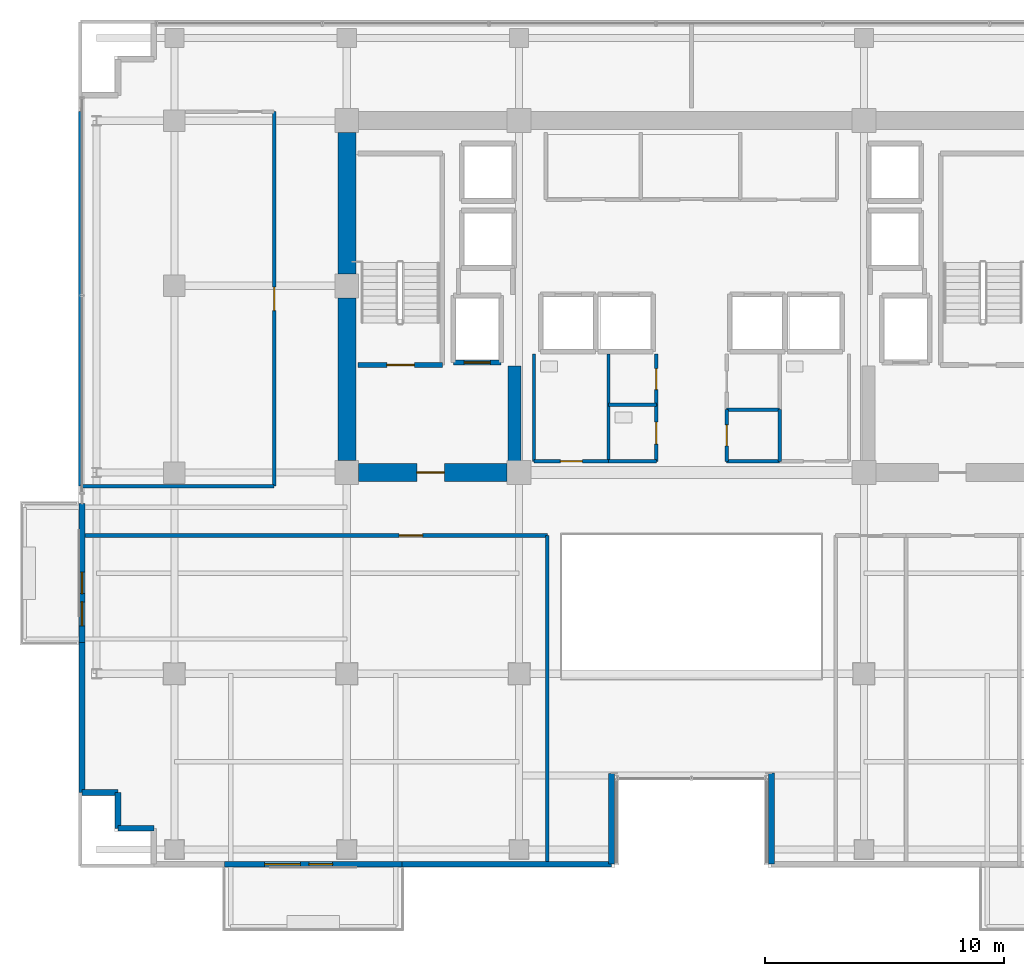
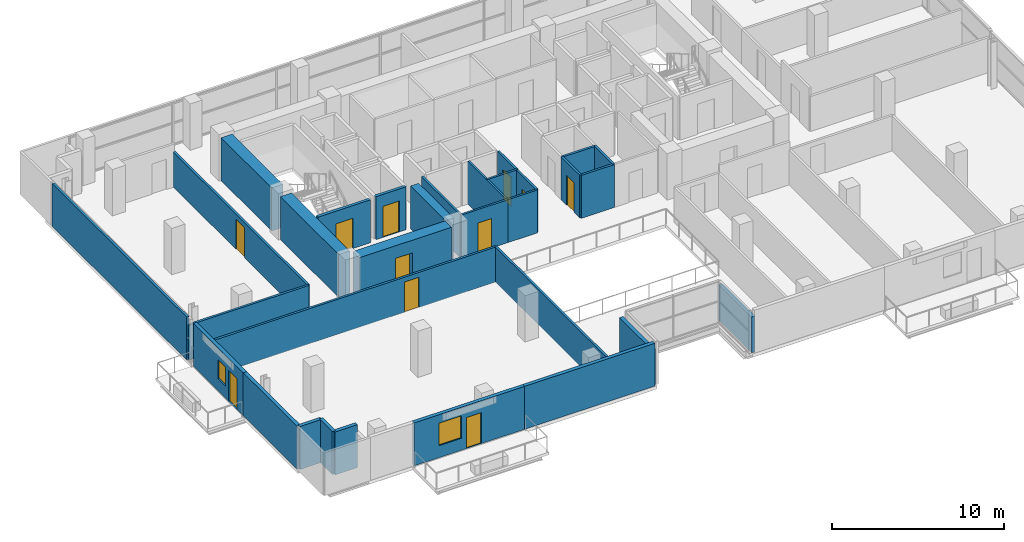
# One storey, part 15 of 22: 31 walls, 11 doors, 2 windows, 13 openings.
"""IFC4 building model written with IfcOpenShell, lengths in metres."""

from ifc_helpers import new_model, si_unit, direction, frame, frame_2d, origin, place, context, subcontext, project, spatial, rectangle, extrude, source, transform, mapped, material, layer, layer_set, type_object, element, fill, save


model = new_model("IFC4")

# Units and contexts
model_context = context("Model", 3, precision=1e-05, world=origin(), true_north=direction((0.0, 1.0)))
body_context = subcontext(model_context, "Body", "Model", "MODEL_VIEW")
ifc_project = project(units=[si_unit("LENGTHUNIT", "METRE"), si_unit("AREAUNIT", "SQUARE_METRE"), si_unit("VOLUMEUNIT", "CUBIC_METRE"), si_unit("PLANEANGLEUNIT", "RADIAN"), si_unit("MASSUNIT", "GRAM", prefix="KILO")], contexts=[model_context])

# Site, building, storey
site_placement = place(None, origin())
site = spatial("IfcSite", under=ifc_project, at=site_placement, CompositionType="ELEMENT")
building_placement = place(site_placement, origin())
building = spatial("IfcBuilding", under=site, at=building_placement, Name="Zarnakvel Exchange Tower", CompositionType="ELEMENT")
storey_placement = place(building_placement, frame((0.0, 0.0, 136.300048828125)))
storey = spatial("IfcBuildingStorey", under=building, at=storey_placement, Name="L38", CompositionType="ELEMENT", Elevation=136.300048828125)

# Walls
ifc_material_1 = material(Name="Concrete C60/75", Category="concrete")
ifc_layer_1 = layer(ifc_material_1, 0.75)
ifc_layer_set_1 = layer_set([ifc_layer_1], Name="Concrete C60/75")
wall_type_1 = type_object("IfcWallType", Name="CW-C3", PredefinedType="SHEAR", material=ifc_layer_set_1)
wall_1_placement = place(storey_placement, frame((-14.39990234375, -0.699951171875, 0.0), z_axis=(0.0, 0.0, 1.0), x_axis=(0.0, 1.0, 0.0)))
element("IfcWall", 1, at=wall_1_placement, inside=storey, type_object=wall_type_1, Name="L38 Rear Core Shear Wall W1 (CW-C3)", PredefinedType="SHEAR", context=body_context, shape_type="SweptSolid", body=[
    extrude(rectangle(XDim=6.800048828125, YDim=0.75, at=frame_2d((3.39990234375, 0.0))), origin(), (0.0, 0.0, 1.0), 3.050048828125),
])
wall_2_placement = place(storey_placement, frame((-14.39990234375, 7.10009765625, 0.0), z_axis=(0.0, 0.0, 1.0), x_axis=(0.0, 1.0, 0.0)))
element("IfcWall", 2, at=wall_2_placement, inside=storey, type_object=wall_type_1, Name="L38 Rear Core Shear Wall W2 (CW-C3)", PredefinedType="SHEAR", context=body_context, shape_type="SweptSolid", body=[
    extrude(rectangle(XDim=5.89990234375, YDim=0.75, at=frame_2d((2.949951171875, 0.0))), origin(), (0.0, 0.0, 1.0), 3.050048828125),
])

# Wall, opening, door
wall_3_placement = place(storey_placement, frame((-7.699951171875, -1.199951171875, 0.0), z_axis=(0.0, 0.0, 1.0), x_axis=(-1.0, 0.0, 0.0)))
wall_3 = element("IfcWall", 3, at=wall_3_placement, inside=storey, type_object=wall_type_1, Name="L38 Rear Core Shear Wall SW (CW-C3)", PredefinedType="SHEAR", context=body_context, shape_type="SweptSolid", body=[
    extrude(rectangle(XDim=6.199951171875, YDim=0.75, at=frame_2d((3.10009765625, 0.0))), origin(), (0.0, 0.0, 1.0), 3.050048828125),
])
opening_1_placement = place(wall_3_placement, frame((2.625, 0.0, 0.0)))
opening_1 = element("IfcOpeningElement", 4, at=opening_1_placement, cuts=wall_3, Name="Opening D-L38-03", PredefinedType="OPENING", context=body_context, shape_type="SweptSolid", body=[
    extrude(rectangle(XDim=1.14990234375, YDim=2.14990234375, at=frame_2d((0.574951171875, 1.074951171875))), frame((0.0, 0.385009765625, 0.0), z_axis=(0.0, -1.0, 0.0), x_axis=(1.0, 0.0, 0.0)), (0.0, 0.0, 1.0), 0.77001953125),
])
ifc_material_2 = material(Name="Painted Galvanised Steel S355", Category="steel")
door_type_1 = type_object("IfcDoorType", Name="DT-04", OperationType="NOTDEFINED", PredefinedType="DOOR", material=ifc_material_2)
shared_shape_1 = source(origin(), body_context, "Body", "SweptSolid", [
    extrude(rectangle(XDim=1.14990234375, YDim=2.14990234375, at=frame_2d((0.574951171875, 1.074951171875))), frame((0.0, 0.02490234375, 0.0), z_axis=(0.0, -1.0, 0.0), x_axis=(1.0, 0.0, 0.0)), (0.0, 0.0, 1.0), 0.050048828125),
])
door_1_placement = place(opening_1_placement, origin())
door_1 = element("IfcDoor", 5, at=door_1_placement, inside=storey, type_object=door_type_1, Name="L38 Firefighting Lobby West Door D-L38-03", OperationType="SINGLE_SWING_RIGHT", OverallHeight=2.14990234375, OverallWidth=1.14990234375, PredefinedType="DOOR", context=body_context, shape_type="MappedRepresentation", body=[
    mapped(shared_shape_1, transform((0.0, 0.0, 0.0), x_axis=(1.0, 0.0, 0.0), y_axis=(0.0, 1.0, 0.0), z_axis=(0.0, 0.0, 1.0), scale=1.0)),
])
fill(opening_1, door_1)

# Wall
ifc_layer_2 = layer(ifc_material_1, 0.550048828125)
ifc_layer_set_2 = layer_set([ifc_layer_2], Name="Concrete C60/75")
wall_type_2 = type_object("IfcWallType", Name="CW-C4", PredefinedType="SHEAR", material=ifc_layer_set_2)
wall_4_placement = place(storey_placement, frame((-7.39990234375, -0.824951171875, 0.0), z_axis=(0.0, 0.0, 1.0), x_axis=(0.0, 1.0, 0.0)))
element("IfcWall", 6, at=wall_4_placement, inside=storey, type_object=wall_type_2, Name="L38 Rear Core Shear Wall IW (CW-C4)", PredefinedType="SHEAR", context=body_context, shape_type="SweptSolid", body=[
    extrude(rectangle(XDim=4.074951171875, YDim=0.550048828125, at=frame_2d((2.03759765625, 0.0))), origin(), (0.0, 0.0, 1.0), 3.050048828125),
])

# Wall, openings, door, window
ifc_material_3 = material(Name="Precast concrete C40/50", Category="concrete")
ifc_layer_3 = layer(ifc_material_3, 0.239990234375)
ifc_layer_set_3 = layer_set([ifc_layer_3], Name="Precast concrete C40/50")
wall_type_3 = type_object("IfcWallType", Name="EW-02", PredefinedType="SOLIDWALL", material=ifc_layer_set_3)
wall_5_placement = place(storey_placement, frame((-12.10009765625, -17.56005859375, 0.0), z_axis=(0.0, 0.0, 1.0), x_axis=(-1.0, 0.0, 0.0)))
wall_5 = element("IfcWall", 7, at=wall_5_placement, inside=storey, type_object=wall_type_3, Name="L38 Exterior Precast Spandrel Wall EW-BAL-L38-SW (EW-02)", PredefinedType="SOLIDWALL", context=body_context, shape_type="SweptSolid", body=[
    extrude(rectangle(XDim=7.39990234375, YDim=0.239990234375, at=frame_2d((3.699951171875, 0.0))), origin(), (0.0, 0.0, 1.0), 3.050048828125),
])
opening_2_placement = place(wall_5_placement, frame((2.885986328125, 0.0, 0.0)))
opening_2 = element("IfcOpeningElement", 8, at=opening_2_placement, cuts=wall_5, Name="Opening BD-L38-01", PredefinedType="OPENING", context=body_context, shape_type="SweptSolid", body=[
    extrude(rectangle(XDim=1.0, YDim=2.199951171875, at=frame_2d((0.5, 1.10009765625))), frame((0.0, 0.1298828125, 0.0), z_axis=(0.0, -1.0, 0.0), x_axis=(1.0, 0.0, 0.0)), (0.0, 0.0, 1.0), 0.260009765625),
])
opening_3_placement = place(wall_5_placement, frame((4.236083984375, 0.0, 0.85009765625)))
opening_3 = element("IfcOpeningElement", 9, at=opening_3_placement, cuts=wall_5, Name="Opening WN-03", PredefinedType="OPENING", context=body_context, shape_type="SweptSolid", body=[
    extrude(rectangle(XDim=1.5, YDim=1.60009765625, at=frame_2d((0.75, 0.800048828125))), frame((0.0, 0.1298828125, 0.0), z_axis=(0.0, -1.0, 0.0), x_axis=(1.0, 0.0, 0.0)), (0.0, 0.0, 1.0), 0.260009765625),
])
ifc_material_4 = material(Name="Architectural Bronze Anodised Aluminium", Category="aluminium")
door_type_2 = type_object("IfcDoorType", Name="DT-09", OperationType="NOTDEFINED", PredefinedType="DOOR", material=ifc_material_4)
shared_shape_2 = source(origin(), body_context, "Body", "SweptSolid", [
    extrude(rectangle(XDim=1.0, YDim=2.199951171875, at=frame_2d((0.5, 1.10009765625))), frame((0.0, 0.02490234375, 0.0), z_axis=(0.0, -1.0, 0.0), x_axis=(1.0, 0.0, 0.0)), (0.0, 0.0, 1.0), 0.050048828125),
])
door_2_placement = place(opening_2_placement, origin())
door_2 = element("IfcDoor", 10, at=door_2_placement, inside=storey, type_object=door_type_2, Name="L38 Planted Loggia Balcony Door BD-L38-01", OperationType="SINGLE_SWING_RIGHT", OverallHeight=2.199951171875, OverallWidth=1.0, PredefinedType="DOOR", context=body_context, shape_type="MappedRepresentation", body=[
    mapped(shared_shape_2, transform((0.0, 0.0, 0.0), x_axis=(1.0, 0.0, 0.0), y_axis=(0.0, 1.0, 0.0), z_axis=(0.0, 0.0, 1.0), scale=1.0)),
])
fill(opening_2, door_2)
ifc_material_5 = material(Name="Double Low-E Laminated Vision Glass", Category="glass")
window_type_1 = type_object("IfcWindowType", Name="WN-03", PartitioningType="SINGLE_PANEL", PredefinedType="WINDOW", material=ifc_material_5)
shared_shape_3 = source(origin(), body_context, "Body", "SweptSolid", [
    extrude(rectangle(XDim=1.5, YDim=1.60009765625, at=frame_2d((0.75, 0.800048828125))), frame((0.0, 0.030029296875, 0.0), z_axis=(0.0, -1.0, 0.0), x_axis=(1.0, 0.0, 0.0)), (0.0, 0.0, 1.0), 0.06005859375),
])
window_1_placement = place(opening_3_placement, origin())
window_1 = element("IfcWindow", 11, at=window_1_placement, inside=storey, type_object=window_type_1, Name="L38 Loggia Daylight Window (WN-03)", OverallHeight=1.60009765625, OverallWidth=1.5, PartitioningType="SINGLE_PANEL", PredefinedType="WINDOW", context=body_context, shape_type="MappedRepresentation", body=[
    mapped(shared_shape_3, transform((0.0, 0.0, 0.0), x_axis=(1.0, 0.0, 0.0), y_axis=(0.0, 1.0, 0.0), z_axis=(0.0, 0.0, 1.0), scale=1.0)),
])
fill(opening_3, window_1)

wall_6_placement = place(storey_placement, frame((-25.4599609375, -8.300048828125, 0.0), z_axis=(0.0, 0.0, 1.0), x_axis=(0.0, 1.0, 0.0)))
wall_6 = element("IfcWall", 12, at=wall_6_placement, inside=storey, type_object=wall_type_3, Name="L38 Exterior Precast Spandrel Wall EW-BAL-L38-W (EW-02)", PredefinedType="SOLIDWALL", context=body_context, shape_type="SweptSolid", body=[
    extrude(rectangle(XDim=5.800048828125, YDim=0.239990234375, at=frame_2d((2.89990234375, 0.0))), origin(), (0.0, 0.0, 1.0), 3.050048828125),
])
opening_4_placement = place(wall_6_placement, frame((0.696044921875, 0.0, 0.0)))
opening_4 = element("IfcOpeningElement", 13, at=opening_4_placement, cuts=wall_6, Name="Opening BD-L38-03", PredefinedType="OPENING", context=body_context, shape_type="SweptSolid", body=[
    extrude(rectangle(XDim=1.0, YDim=2.199951171875, at=frame_2d((0.5, 1.10009765625))), frame((0.0, 0.1298828125, 0.0), z_axis=(0.0, -1.0, 0.0), x_axis=(1.0, 0.0, 0.0)), (0.0, 0.0, 1.0), 0.260009765625),
])
opening_5_placement = place(wall_6_placement, frame((2.0458984375, 0.0, 0.85009765625)))
opening_5 = element("IfcOpeningElement", 14, at=opening_5_placement, cuts=wall_6, Name="Opening WN-06", PredefinedType="OPENING", context=body_context, shape_type="SweptSolid", body=[
    extrude(rectangle(XDim=0.89990234375, YDim=1.35009765625, at=frame_2d((0.449951171875, 0.675048828125))), frame((0.0, 0.1298828125, 0.0), z_axis=(0.0, -1.0, 0.0), x_axis=(1.0, 0.0, 0.0)), (0.0, 0.0, 1.0), 0.260009765625),
])
door_3_placement = place(opening_4_placement, origin())
door_3 = element("IfcDoor", 15, at=door_3_placement, inside=storey, type_object=door_type_2, Name="L38 Planted Loggia Balcony Door BD-L38-03", OperationType="SINGLE_SWING_RIGHT", OverallHeight=2.199951171875, OverallWidth=1.0, PredefinedType="DOOR", context=body_context, shape_type="MappedRepresentation", body=[
    mapped(shared_shape_2, transform((0.0, 0.0, 0.0), x_axis=(1.0, 0.0, 0.0), y_axis=(0.0, 1.0, 0.0), z_axis=(0.0, 0.0, 1.0), scale=1.0)),
])
fill(opening_4, door_3)
window_type_2 = type_object("IfcWindowType", Name="WN-06", PartitioningType="SINGLE_PANEL", PredefinedType="WINDOW", material=ifc_material_5)
shared_shape_4 = source(origin(), body_context, "Body", "SweptSolid", [
    extrude(rectangle(XDim=0.89990234375, YDim=1.35009765625, at=frame_2d((0.449951171875, 0.675048828125))), frame((0.0, 0.030029296875, 0.0), z_axis=(0.0, -1.0, 0.0), x_axis=(1.0, 0.0, 0.0)), (0.0, 0.0, 1.0), 0.06005859375),
])
window_2_placement = place(opening_5_placement, origin())
window_2 = element("IfcWindow", 16, at=window_2_placement, inside=storey, type_object=window_type_2, Name="L38 Loggia Daylight Window (WN-06)", OverallHeight=1.35009765625, OverallWidth=0.89990234375, PartitioningType="SINGLE_PANEL", PredefinedType="WINDOW", context=body_context, shape_type="MappedRepresentation", body=[
    mapped(shared_shape_4, transform((0.0, 0.0, 0.0), x_axis=(1.0, 0.0, 0.0), y_axis=(0.0, 1.0, 0.0), z_axis=(0.0, 0.0, 1.0), scale=1.0)),
])
fill(opening_5, window_2)

# Walls
wall_7_placement = place(storey_placement, frame((-25.4599609375, -8.300048828125, 0.0), z_axis=(0.0, 0.0, 1.0), x_axis=(0.0, -1.0, 0.0)))
element("IfcWall", 17, at=wall_7_placement, inside=storey, type_object=wall_type_3, Name="L38 Exterior Precast Spandrel Wall EWC-L38-01 (EW-02)", PredefinedType="SOLIDWALL", context=body_context, shape_type="SweptSolid", body=[
    extrude(rectangle(XDim=6.260009765625, YDim=0.239990234375, at=frame_2d((3.1298828125, 0.0))), origin(), (0.0, 0.0, 1.0), 3.050048828125),
])
for number, where, z_axis, x_axis, name in (
    (18, (3.340087890625, -13.760009765625, 0.0), (0.0, 0.0, 1.0), (0.0, -1.0, 0.0), "L38 Exterior Precast Spandrel Wall EWC-L38-17 (EW-02)"),
    (19, (-3.340087890625, -17.56005859375, 0.0), (0.0, 0.0, 1.0), (0.0, 1.0, 0.0), "L38 Exterior Precast Spandrel Wall EWC-L38-20 (EW-02)"),
):
    element("IfcWall", number, at=place(storey_placement, frame(where, z_axis=z_axis, x_axis=x_axis)), inside=storey, type_object=wall_type_3, Name=name, PredefinedType="SOLIDWALL", context=body_context, shape_type="SweptSolid", body=[
        extrude(rectangle(XDim=3.800048828125, YDim=0.239990234375, at=frame_2d((1.89990234375, 0.0))), origin(), (0.0, 0.0, 1.0), 2.5400390625),
    ])
wall_8_placement = place(storey_placement, frame((-12.10009765625, -17.56005859375, 0.0), z_axis=(0.0, 0.0, 1.0), x_axis=(1.0, 0.0, 0.0)))
element("IfcWall", 20, at=wall_8_placement, inside=storey, type_object=wall_type_3, Name="L38 Exterior Precast Spandrel Wall EWC-L38-21 (EW-02)", PredefinedType="SOLIDWALL", context=body_context, shape_type="SweptSolid", body=[
    extrude(rectangle(XDim=8.760009765625, YDim=0.239990234375, at=frame_2d((4.3798828125, 0.0))), origin(), (0.0, 0.0, 1.0), 3.050048828125),
])
for number, where, z_axis, x_axis, name in (
    (21, (-23.9599609375, -16.06005859375, 0.0), (0.0, 0.0, 1.0), (1.0, 0.0, 0.0), "L38 Exterior Precast Spandrel Wall EWC-L38-24 (EW-02)"),
    (22, (-23.9599609375, -14.56005859375, 0.0), (0.0, 0.0, 1.0), (0.0, -1.0, 0.0), "L38 Exterior Precast Spandrel Wall EWC-L38-25 (EW-02)"),
    (23, (-25.4599609375, -14.56005859375, 0.0), (0.0, 0.0, 1.0), (1.0, 0.0, 0.0), "L38 Exterior Precast Spandrel Wall EWC-L38-26 (EW-02)"),
):
    element("IfcWall", number, at=place(storey_placement, frame(where, z_axis=z_axis, x_axis=x_axis)), inside=storey, type_object=wall_type_3, Name=name, PredefinedType="SOLIDWALL", context=body_context, shape_type="SweptSolid", body=[
        extrude(rectangle(XDim=1.5, YDim=0.239990234375, at=frame_2d((0.75, 0.0))), origin(), (0.0, 0.0, 1.0), 3.050048828125),
    ])

# Wall, opening, door
ifc_material_6 = material(Name="Fire-Rated Gypsum Stud Partition", Category="gypsum")
ifc_layer_4 = layer(ifc_material_6, 0.14990234375)
ifc_layer_set_4 = layer_set([ifc_layer_4], Name="Fire-Rated Gypsum Stud Partition")
wall_type_4 = type_object("IfcWallType", Name="PT-01", PredefinedType="PARTITIONING", material=ifc_layer_set_4)
wall_9_placement = place(storey_placement, frame((-1.469970703125, 3.760009765625, 0.0), z_axis=(0.0, 0.0, 1.0), x_axis=(0.0, -1.0, 0.0)))
wall_9 = element("IfcWall", 24, at=wall_9_placement, inside=storey, type_object=wall_type_4, Name="L38 Partition Wall PWALL-L38-024 (PT-01)", PredefinedType="PARTITIONING", context=body_context, shape_type="SweptSolid", body=[
    extrude(rectangle(XDim=2.130126953125, YDim=0.14990234375, at=frame_2d((1.06494140625, 0.0))), origin(), (0.0, 0.0, 1.0), 3.050048828125),
])
opening_6_placement = place(wall_9_placement, frame((0.6201171875, 0.0, 0.0)))
opening_6 = element("IfcOpeningElement", 25, at=opening_6_placement, cuts=wall_9, Name="Opening D-L38-10", PredefinedType="OPENING", context=body_context, shape_type="SweptSolid", body=[
    extrude(rectangle(XDim=0.8798828125, YDim=2.10009765625, at=frame_2d((0.43994140625, 1.050048828125))), frame((0.0, 0.0849609375, 0.0), z_axis=(0.0, -1.0, 0.0), x_axis=(1.0, 0.0, 0.0)), (0.0, 0.0, 1.0), 0.169921875),
])
door_type_3 = type_object("IfcDoorType", Name="DT-08", OperationType="NOTDEFINED", PredefinedType="DOOR", material=ifc_material_2)
shared_shape_5 = source(origin(), body_context, "Body", "SweptSolid", [
    extrude(rectangle(XDim=0.8798828125, YDim=2.10009765625, at=frame_2d((0.43994140625, 1.050048828125))), frame((0.0, 0.02490234375, 0.0), z_axis=(0.0, -1.0, 0.0), x_axis=(1.0, 0.0, 0.0)), (0.0, 0.0, 1.0), 0.050048828125),
])
door_4_placement = place(opening_6_placement, origin())
door_4 = element("IfcDoor", 26, at=door_4_placement, inside=storey, type_object=door_type_3, Name="L38 Core Comms Room Door D-L38-10", OperationType="SINGLE_SWING_LEFT", OverallHeight=2.10009765625, OverallWidth=0.8798828125, PredefinedType="DOOR", context=body_context, shape_type="MappedRepresentation", body=[
    mapped(shared_shape_5, transform((0.0, 0.0, 0.0), x_axis=(1.0, 0.0, 0.0), y_axis=(0.0, 1.0, 0.0), z_axis=(0.0, 0.0, 1.0), scale=1.0)),
])
fill(opening_6, door_4)

# Walls
for number, where, z_axis, x_axis, name in (
    (27, (3.679931640625, -0.72998046875, 0.0), (0.0, 0.0, 1.0), (-1.0, 0.0, 0.0), "L38 Partition Wall PWALL-L38-025 (PT-01)"),
    (28, (1.469970703125, 1.429931640625, 0.0), (0.0, 0.0, 1.0), (1.0, 0.0, 0.0), "L38 Partition Wall PWALL-L38-026 (PT-01)"),
):
    element("IfcWall", number, at=place(storey_placement, frame(where, z_axis=z_axis, x_axis=x_axis)), inside=storey, type_object=wall_type_4, Name=name, PredefinedType="PARTITIONING", context=body_context, shape_type="SweptSolid", body=[
        extrude(rectangle(XDim=2.2099609375, YDim=0.14990234375, at=frame_2d((1.10498046875, 0.0))), origin(), (0.0, 0.0, 1.0), 3.050048828125),
    ])

# Wall, opening, door
wall_10_placement = place(storey_placement, frame((1.469970703125, -0.72998046875, 0.0), z_axis=(0.0, 0.0, 1.0), x_axis=(0.0, 1.0, 0.0)))
wall_10 = element("IfcWall", 29, at=wall_10_placement, inside=storey, type_object=wall_type_4, Name="L38 Partition Wall PWALL-L38-027 (PT-01)", PredefinedType="PARTITIONING", context=body_context, shape_type="SweptSolid", body=[
    extrude(rectangle(XDim=2.159912109375, YDim=0.14990234375, at=frame_2d((1.080078125, 0.0))), origin(), (0.0, 0.0, 1.0), 3.050048828125),
])
opening_7_placement = place(wall_10_placement, frame((0.639892578125, 0.0, 0.0)))
opening_7 = element("IfcOpeningElement", 30, at=opening_7_placement, cuts=wall_10, Name="Opening D-L38-11", PredefinedType="OPENING", context=body_context, shape_type="SweptSolid", body=[
    extrude(rectangle(XDim=0.8798828125, YDim=2.10009765625, at=frame_2d((0.43994140625, 1.050048828125))), frame((0.0, 0.0849609375, 0.0), z_axis=(0.0, -1.0, 0.0), x_axis=(1.0, 0.0, 0.0)), (0.0, 0.0, 1.0), 0.169921875),
])
door_5_placement = place(opening_7_placement, origin())
door_5 = element("IfcDoor", 31, at=door_5_placement, inside=storey, type_object=door_type_3, Name="L38 Janitor Store Door D-L38-11", OperationType="SINGLE_SWING_RIGHT", OverallHeight=2.10009765625, OverallWidth=0.8798828125, PredefinedType="DOOR", context=body_context, shape_type="MappedRepresentation", body=[
    mapped(shared_shape_5, transform((0.0, 0.0, 0.0), x_axis=(1.0, 0.0, 0.0), y_axis=(0.0, 1.0, 0.0), z_axis=(0.0, 0.0, 1.0), scale=1.0)),
])
fill(opening_7, door_5)

# Wall
wall_11_placement = place(storey_placement, frame((3.679931640625, 1.429931640625, 0.0), z_axis=(0.0, 0.0, 1.0), x_axis=(0.0, -1.0, 0.0)))
element("IfcWall", 32, at=wall_11_placement, inside=storey, type_object=wall_type_4, Name="L38 Partition Wall PWALL-L38-028 (PT-01)", PredefinedType="PARTITIONING", context=body_context, shape_type="SweptSolid", body=[
    extrude(rectangle(XDim=2.159912109375, YDim=0.14990234375, at=frame_2d((1.080078125, 0.0))), origin(), (0.0, 0.0, 1.0), 3.050048828125),
])

# Wall, opening, door
wall_12_placement = place(storey_placement, frame((-25.530029296875, -3.830078125, 0.0), z_axis=(0.0, 0.0, 1.0), x_axis=(1.0, 0.0, 0.0)))
wall_12 = element("IfcWall", 33, at=wall_12_placement, inside=storey, type_object=wall_type_4, Name="L38 Partition Wall PWALL-L38-034 (PT-01)", PredefinedType="PARTITIONING", context=body_context, shape_type="SweptSolid", body=[
    extrude(rectangle(XDim=19.510009765625, YDim=0.14990234375, at=frame_2d((9.7548828125, 0.0))), origin(), (0.0, 0.0, 1.0), 2.489990234375),
])
opening_8_placement = place(wall_12_placement, frame((13.31494140625, 0.0, 0.0)))
opening_8 = element("IfcOpeningElement", 34, at=opening_8_placement, cuts=wall_12, Name="Opening D-L38-14", PredefinedType="OPENING", context=body_context, shape_type="SweptSolid", body=[
    extrude(rectangle(XDim=0.97998046875, YDim=2.14990234375, at=frame_2d((0.489990234375, 1.074951171875))), frame((0.0, 0.0849609375, 0.0), z_axis=(0.0, -1.0, 0.0), x_axis=(1.0, 0.0, 0.0)), (0.0, 0.0, 1.0), 0.169921875),
])
ifc_material_7 = material(Name="Timber Acoustic Veneer", Category="wood")
door_type_4 = type_object("IfcDoorType", Name="DT-05", OperationType="NOTDEFINED", PredefinedType="DOOR", material=ifc_material_7)
shared_shape_6 = source(origin(), body_context, "Body", "SweptSolid", [
    extrude(rectangle(XDim=0.97998046875, YDim=2.14990234375, at=frame_2d((0.489990234375, 1.074951171875))), frame((0.0, 0.02490234375, 0.0), z_axis=(0.0, -1.0, 0.0), x_axis=(1.0, 0.0, 0.0)), (0.0, 0.0, 1.0), 0.050048828125),
])
door_6_placement = place(opening_8_placement, origin())
door_6 = element("IfcDoor", 35, at=door_6_placement, inside=storey, type_object=door_type_4, Name="L38 Sovereign Wealth Office Door D-L38-14", OperationType="SINGLE_SWING_LEFT", OverallHeight=2.14990234375, OverallWidth=0.97998046875, PredefinedType="DOOR", context=body_context, shape_type="MappedRepresentation", body=[
    mapped(shared_shape_6, transform((0.0, 0.0, 0.0), x_axis=(1.0, 0.0, 0.0), y_axis=(0.0, 1.0, 0.0), z_axis=(0.0, 0.0, 1.0), scale=1.0)),
])
fill(opening_8, door_6)

# Walls
wall_13_placement = place(storey_placement, frame((-6.02001953125, -3.830078125, 0.0), z_axis=(0.0, 0.0, 1.0), x_axis=(0.0, -1.0, 0.0)))
element("IfcWall", 36, at=wall_13_placement, inside=storey, type_object=wall_type_4, Name="L38 Partition Wall PWALL-L38-036 (PT-01)", PredefinedType="PARTITIONING", context=body_context, shape_type="SweptSolid", body=[
    extrude(rectangle(XDim=13.7998046875, YDim=0.14990234375, at=frame_2d((6.89990234375, 0.0))), origin(), (0.0, 0.0, 1.0), 2.489990234375),
])
wall_14_placement = place(storey_placement, frame((-17.429931640625, -1.77001953125, 0.0), z_axis=(0.0, 0.0, 1.0), x_axis=(-1.0, 0.0, 0.0)))
element("IfcWall", 37, at=wall_14_placement, inside=storey, type_object=wall_type_4, Name="L38 Partition Wall PWALL-L38-047 (PT-01)", PredefinedType="PARTITIONING", context=body_context, shape_type="SweptSolid", body=[
    extrude(rectangle(XDim=8.10009765625, YDim=0.14990234375, at=frame_2d((4.050048828125, 0.0))), origin(), (0.0, 0.0, 1.0), 2.489990234375),
])
wall_15_placement = place(storey_placement, frame((-25.530029296875, -1.77001953125, 0.0), z_axis=(0.0, 0.0, 1.0), x_axis=(0.0, 1.0, 0.0)))
element("IfcWall", 38, at=wall_15_placement, inside=storey, type_object=wall_type_4, Name="L38 Partition Wall PWALL-L38-049 (PT-01)", PredefinedType="PARTITIONING", context=body_context, shape_type="SweptSolid", body=[
    extrude(rectangle(XDim=15.64990234375, YDim=0.14990234375, at=frame_2d((7.824951171875, 0.0))), origin(), (0.0, 0.0, 1.0), 3.050048828125),
])

# Wall, opening, door
wall_16_placement = place(storey_placement, frame((-17.429931640625, 13.8798828125, 0.0), z_axis=(0.0, 0.0, 1.0), x_axis=(0.0, -1.0, 0.0)))
wall_16 = element("IfcWall", 39, at=wall_16_placement, inside=storey, type_object=wall_type_4, Name="L38 Partition Wall PWALL-L38-050 (PT-01)", PredefinedType="PARTITIONING", context=body_context, shape_type="SweptSolid", body=[
    extrude(rectangle(XDim=15.64990234375, YDim=0.14990234375, at=frame_2d((7.824951171875, 0.0))), origin(), (0.0, 0.0, 1.0), 2.489990234375),
])
opening_9_placement = place(wall_16_placement, frame((7.3349609375, 0.0, 0.0)))
opening_9 = element("IfcOpeningElement", 40, at=opening_9_placement, cuts=wall_16, Name="Opening D-L38-18", PredefinedType="OPENING", context=body_context, shape_type="SweptSolid", body=[
    extrude(rectangle(XDim=0.97998046875, YDim=2.14990234375, at=frame_2d((0.489990234375, 1.074951171875))), frame((0.0, 0.0849609375, 0.0), z_axis=(0.0, -1.0, 0.0), x_axis=(1.0, 0.0, 0.0)), (0.0, 0.0, 1.0), 0.169921875),
])
door_7_placement = place(opening_9_placement, origin())
door_7 = element("IfcDoor", 41, at=door_7_placement, inside=storey, type_object=door_type_4, Name="L38 Conference Room Door D-L38-18", OperationType="SINGLE_SWING_LEFT", OverallHeight=2.14990234375, OverallWidth=0.97998046875, PredefinedType="DOOR", context=body_context, shape_type="MappedRepresentation", body=[
    mapped(shared_shape_6, transform((0.0, 0.0, 0.0), x_axis=(1.0, 0.0, 0.0), y_axis=(0.0, 1.0, 0.0), z_axis=(0.0, 0.0, 1.0), scale=1.0)),
])
fill(opening_9, door_7)

ifc_material_8 = material(Name="Moisture-Resistant Tile-Faced Partition", Category="gypsum")
ifc_layer_5 = layer(ifc_material_8, 0.135009765625)
ifc_layer_set_5 = layer_set([ifc_layer_5], Name="Moisture-Resistant Tile-Faced Partition")
wall_type_5 = type_object("IfcWallType", Name="PT-03", PredefinedType="PARTITIONING", material=ifc_layer_set_5)
wall_17_placement = place(storey_placement, frame((-3.469970703125, -0.72998046875, 0.0), z_axis=(0.0, 0.0, 1.0), x_axis=(-1.0, 0.0, 0.0)))
wall_17 = element("IfcWall", 42, at=wall_17_placement, inside=storey, type_object=wall_type_5, Name="L38 Partition Wall PWALL-L38-018 (PT-03)", PredefinedType="PARTITIONING", context=body_context, shape_type="SweptSolid", body=[
    extrude(rectangle(XDim=3.110107421875, YDim=0.135009765625, at=frame_2d((1.55517578125, 0.0))), origin(), (0.0, 0.0, 1.0), 3.050048828125),
])
opening_10_placement = place(wall_17_placement, frame((1.090087890625, 0.0, 0.0)))
opening_10 = element("IfcOpeningElement", 43, at=opening_10_placement, cuts=wall_17, Name="Opening D-L38-08", PredefinedType="OPENING", context=body_context, shape_type="SweptSolid", body=[
    extrude(rectangle(XDim=0.919921875, YDim=2.10009765625, at=frame_2d((0.4599609375, 1.050048828125))), frame((0.0, 0.077392578125, 0.0), z_axis=(0.0, -1.0, 0.0), x_axis=(1.0, 0.0, 0.0)), (0.0, 0.0, 1.0), 0.155029296875),
])
ifc_material_9 = material(Name="Moisture-Resistant Laminate Timber", Category="wood")
door_type_5 = type_object("IfcDoorType", Name="DT-07", OperationType="NOTDEFINED", PredefinedType="DOOR", material=ifc_material_9)
shared_shape_7 = source(origin(), body_context, "Body", "SweptSolid", [
    extrude(rectangle(XDim=0.919921875, YDim=2.10009765625, at=frame_2d((0.4599609375, 1.050048828125))), frame((0.0, 0.02490234375, 0.0), z_axis=(0.0, -1.0, 0.0), x_axis=(1.0, 0.0, 0.0)), (0.0, 0.0, 1.0), 0.050048828125),
])
door_8_placement = place(opening_10_placement, origin())
door_8 = element("IfcDoor", 44, at=door_8_placement, inside=storey, type_object=door_type_5, Name="L38 Male Toilet Door D-L38-08", OperationType="SINGLE_SWING_LEFT", OverallHeight=2.10009765625, OverallWidth=0.919921875, PredefinedType="DOOR", context=body_context, shape_type="MappedRepresentation", body=[
    mapped(shared_shape_7, transform((0.0, 0.0, 0.0), x_axis=(1.0, 0.0, 0.0), y_axis=(0.0, 1.0, 0.0), z_axis=(0.0, 0.0, 1.0), scale=1.0)),
])
fill(opening_10, door_8)

# Walls
for number, where, z_axis, x_axis, name in (
    (45, (-6.580078125, -0.72998046875, 0.0), (0.0, 0.0, 1.0), (0.0, 1.0, 0.0), "L38 Partition Wall PWALL-L38-019 (PT-03)"),
    (46, (-3.469970703125, 3.760009765625, 0.0), (0.0, 0.0, 1.0), (0.0, -1.0, 0.0), "L38 Partition Wall PWALL-L38-020 (PT-03)"),
):
    element("IfcWall", number, at=place(storey_placement, frame(where, z_axis=z_axis, x_axis=x_axis)), inside=storey, type_object=wall_type_5, Name=name, PredefinedType="PARTITIONING", context=body_context, shape_type="SweptSolid", body=[
        extrude(rectangle(XDim=4.489990234375, YDim=0.135009765625, at=frame_2d((2.2451171875, 0.0))), origin(), (0.0, 0.0, 1.0), 3.050048828125),
    ])
for number, where, z_axis, x_axis, name in (
    (47, (-1.469970703125, -0.72998046875, 0.0), (0.0, 0.0, 1.0), (-1.0, 0.0, 0.0), "L38 Partition Wall PWALL-L38-021 (PT-03)"),
    (48, (-3.469970703125, 1.6298828125, 0.0), (0.0, 0.0, 1.0), (1.0, 0.0, 0.0), "L38 Partition Wall PWALL-L38-022 (PT-03)"),
):
    element("IfcWall", number, at=place(storey_placement, frame(where, z_axis=z_axis, x_axis=x_axis)), inside=storey, type_object=wall_type_5, Name=name, PredefinedType="PARTITIONING", context=body_context, shape_type="SweptSolid", body=[
        extrude(rectangle(XDim=2.0, YDim=0.135009765625, at=frame_2d((1.0, 0.0))), origin(), (0.0, 0.0, 1.0), 3.050048828125),
    ])

# Wall, opening, door
wall_18_placement = place(storey_placement, frame((-1.469970703125, 1.6298828125, 0.0), z_axis=(0.0, 0.0, 1.0), x_axis=(0.0, -1.0, 0.0)))
wall_18 = element("IfcWall", 49, at=wall_18_placement, inside=storey, type_object=wall_type_5, Name="L38 Partition Wall PWALL-L38-023 (PT-03)", PredefinedType="PARTITIONING", context=body_context, shape_type="SweptSolid", body=[
    extrude(rectangle(XDim=2.35986328125, YDim=0.135009765625, at=frame_2d((1.179931640625, 0.0))), origin(), (0.0, 0.0, 1.0), 3.050048828125),
])
opening_11_placement = place(wall_18_placement, frame((0.719970703125, 0.0, 0.0)))
opening_11 = element("IfcOpeningElement", 50, at=opening_11_placement, cuts=wall_18, Name="Opening D-L38-09", PredefinedType="OPENING", context=body_context, shape_type="SweptSolid", body=[
    extrude(rectangle(XDim=0.919921875, YDim=2.10009765625, at=frame_2d((0.4599609375, 1.050048828125))), frame((0.0, 0.077392578125, 0.0), z_axis=(0.0, -1.0, 0.0), x_axis=(1.0, 0.0, 0.0)), (0.0, 0.0, 1.0), 0.155029296875),
])
door_9_placement = place(opening_11_placement, origin())
door_9 = element("IfcDoor", 51, at=door_9_placement, inside=storey, type_object=door_type_5, Name="L38 Accessible Toilet Door D-L38-09", OperationType="SINGLE_SWING_RIGHT", OverallHeight=2.10009765625, OverallWidth=0.919921875, PredefinedType="DOOR", context=body_context, shape_type="MappedRepresentation", body=[
    mapped(shared_shape_7, transform((0.0, 0.0, 0.0), x_axis=(1.0, 0.0, 0.0), y_axis=(0.0, 1.0, 0.0), z_axis=(0.0, 0.0, 1.0), scale=1.0)),
])
fill(opening_11, door_9)

ifc_material_10 = material(Name="Concrete C40/50", Category="concrete")
ifc_layer_6 = layer(ifc_material_10, 0.199951171875)
ifc_layer_set_6 = layer_set([ifc_layer_6], Name="Concrete C40/50")
wall_type_6 = type_object("IfcWallType", Name="SW-01", PredefinedType="SOLIDWALL", material=ifc_layer_set_6)
wall_19_placement = place(storey_placement, frame((-7.949951171875, 3.39990234375, 0.0), z_axis=(0.0, 0.0, 1.0), x_axis=(-1.0, 0.0, 0.0)))
wall_19 = element("IfcWall", 52, at=wall_19_placement, inside=storey, type_object=wall_type_6, Name="L38 FL-01 Hoistway Wall South", PredefinedType="SOLIDWALL", context=body_context, shape_type="SweptSolid", body=[
    extrude(rectangle(XDim=2.0, YDim=0.199951171875, at=frame_2d((1.0, 0.0))), origin(), (0.0, 0.0, 1.0), 3.050048828125),
])
opening_12_placement = place(wall_19_placement, frame((0.449951171875, 0.0, 0.0)))
opening_12 = element("IfcOpeningElement", 53, at=opening_12_placement, cuts=wall_19, Name="Opening LD-FL-01-L38", PredefinedType="OPENING", context=body_context, shape_type="SweptSolid", body=[
    extrude(rectangle(XDim=1.10009765625, YDim=2.199951171875, at=frame_2d((0.550048828125, 1.10009765625))), frame((0.0, 0.10986328125, 0.0), z_axis=(0.0, -1.0, 0.0), x_axis=(1.0, 0.0, 0.0)), (0.0, 0.0, 1.0), 0.219970703125),
])
ifc_material_11 = material(Name="Brushed Stainless Steel", Category="steel")
door_type_6 = type_object("IfcDoorType", Name="LDT-01", OperationType="NOTDEFINED", PredefinedType="DOOR", material=ifc_material_11)
shared_shape_8 = source(origin(), body_context, "Body", "SweptSolid", [
    extrude(rectangle(XDim=1.10009765625, YDim=2.199951171875, at=frame_2d((0.550048828125, 1.10009765625))), frame((0.0, 0.02490234375, 0.0), z_axis=(0.0, -1.0, 0.0), x_axis=(1.0, 0.0, 0.0)), (0.0, 0.0, 1.0), 0.050048828125),
])
door_10_placement = place(opening_12_placement, origin())
door_10 = element("IfcDoor", 54, at=door_10_placement, inside=storey, type_object=door_type_6, Name="L38 FL-01 Lift Landing Door LD-FL-01-L38", OperationType="DOUBLE_DOOR_SLIDING", OverallHeight=2.199951171875, OverallWidth=1.10009765625, PredefinedType="DOOR", context=body_context, shape_type="MappedRepresentation", body=[
    mapped(shared_shape_8, transform((0.0, 0.0, 0.0), x_axis=(1.0, 0.0, 0.0), y_axis=(0.0, 1.0, 0.0), z_axis=(0.0, 0.0, 1.0), scale=1.0)),
])
fill(opening_12, door_10)

ifc_layer_7 = layer(ifc_material_10, 0.199951171875)
ifc_layer_set_7 = layer_set([ifc_layer_7], Name="Concrete C40/50")
wall_type_7 = type_object("IfcWallType", Name="SW-02", PredefinedType="SOLIDWALL", material=ifc_layer_set_7)
wall_20_placement = place(storey_placement, frame((-10.409912109375, 3.2900390625, 0.0), z_axis=(0.0, 0.0, 1.0), x_axis=(-1.0, 0.0, 0.0)))
wall_20 = element("IfcWall", 55, at=wall_20_placement, inside=storey, type_object=wall_type_7, Name="L38 Stairwell Core Wall PWALL-L38-001 (SW-02)", PredefinedType="SOLIDWALL", context=body_context, shape_type="SweptSolid", body=[
    extrude(rectangle(XDim=3.52001953125, YDim=0.199951171875, at=frame_2d((1.760009765625, 0.0))), origin(), (0.0, 0.0, 1.0), 3.050048828125),
])
opening_13_placement = place(wall_20_placement, frame((1.1650390625, 0.0, 0.0)))
opening_13 = element("IfcOpeningElement", 56, at=opening_13_placement, cuts=wall_20, Name="Opening D-L38-01", PredefinedType="OPENING", context=body_context, shape_type="SweptSolid", body=[
    extrude(rectangle(XDim=1.14990234375, YDim=2.14990234375, at=frame_2d((0.574951171875, 1.074951171875))), frame((0.0, 0.10986328125, 0.0), z_axis=(0.0, -1.0, 0.0), x_axis=(1.0, 0.0, 0.0)), (0.0, 0.0, 1.0), 0.219970703125),
])
door_11_placement = place(opening_13_placement, origin())
door_11 = element("IfcDoor", 57, at=door_11_placement, inside=storey, type_object=door_type_1, Name="L38 Stairwell ST-01 Door D-L38-01", OperationType="SINGLE_SWING_RIGHT", OverallHeight=2.14990234375, OverallWidth=1.14990234375, PredefinedType="DOOR", context=body_context, shape_type="MappedRepresentation", body=[
    mapped(shared_shape_1, transform((0.0, 0.0, 0.0), x_axis=(1.0, 0.0, 0.0), y_axis=(0.0, 1.0, 0.0), z_axis=(0.0, 0.0, 1.0), scale=1.0)),
])
fill(opening_13, door_11)

save(model, "model.ifc")
